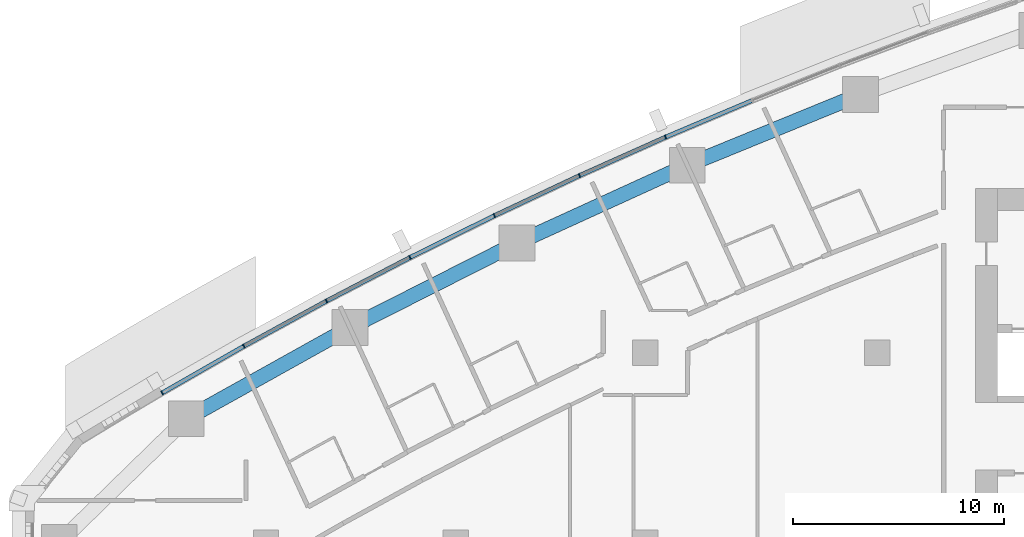
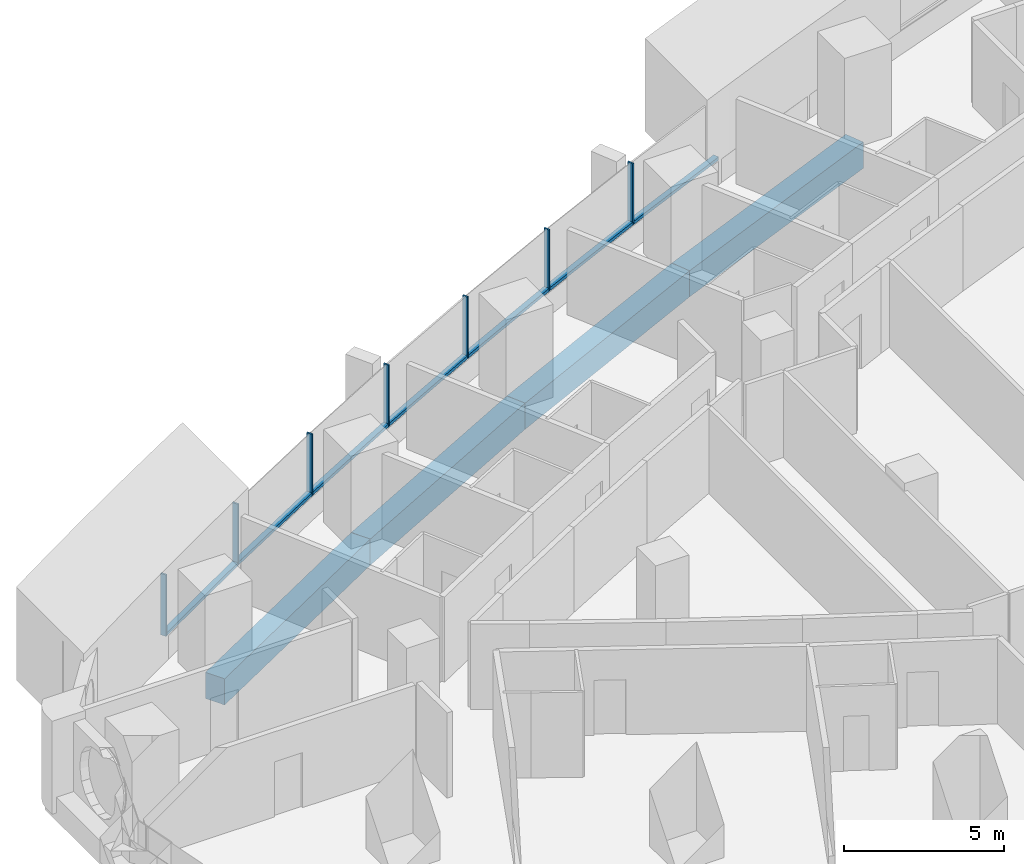
# One storey, part 5 of 17: 14 members, 4 beams, 4 elements without a shape of their own.
"""IFC4 building model written with IfcOpenShell, lengths in metres."""

from ifc_helpers import new_model, si_unit, direction, frame, origin, origin_2d, place, context, subcontext, project, spatial, rectangle, extrude, material, layer, layer_set, material_profile, profile_set, type_object, element, aggregate, save


model = new_model("IFC4")

# Units and contexts
model_context = context("Model", 3, precision=1e-05, world=origin(), true_north=direction((0.0, 1.0)))
body_context = subcontext(model_context, "Body", "Model", "MODEL_VIEW")
ifc_project = project(units=[si_unit("LENGTHUNIT", "METRE"), si_unit("AREAUNIT", "SQUARE_METRE"), si_unit("VOLUMEUNIT", "CUBIC_METRE"), si_unit("PLANEANGLEUNIT", "RADIAN"), si_unit("MASSUNIT", "GRAM", prefix="KILO")], contexts=[model_context])

# Site, building, storey
site_placement = place(None, origin())
site = spatial("IfcSite", under=ifc_project, at=site_placement, CompositionType="ELEMENT")
building_placement = place(site_placement, origin())
building = spatial("IfcBuilding", under=site, at=building_placement, Name="Ostrand Prow Hotel Tower", CompositionType="ELEMENT")
storey_placement = place(building_placement, frame((0.0, 0.0, 84.89990234375)))
storey = spatial("IfcBuildingStorey", under=building, at=storey_placement, Name="L19", CompositionType="ELEMENT", Elevation=84.89990234375)

# Beams
ifc_material_1 = material(Name="Concrete C80/95", Category="concrete")
ifc_material_profile_1 = material_profile(ifc_material_1, rectangle(XDim=0.699951171875, YDim=1.0, at=origin_2d()), Name="RC 700x1000")
ifc_profile_set_1 = profile_set([ifc_material_profile_1], Name="Concrete C80/95")
beam_type = type_object("IfcBeamType", Name="Edge beam 700x1000 C80/95", PredefinedType="SPANDREL", material=ifc_profile_set_1)
beam_1_placement = place(storey_placement, frame((44.210693359375, 21.263671875, -0.7998046875), z_axis=(-0.925612172894, -0.378473387955, 0.0), x_axis=(0.378473387955, -0.925612172894, 0.0)))
element("IfcBeam", 1, at=beam_1_placement, inside=storey, type_object=beam_type, Name="Edge beam N2-N3", PredefinedType="SPANDREL", context=body_context, shape_type="SweptSolid", body=[
    extrude(rectangle(XDim=0.699951171875, YDim=1.0, at=origin_2d()), origin(), (0.0, 0.0, 1.0), 8.88330078125),
])
beam_2_placement = place(storey_placement, frame((35.98828125, 17.901611328125, -0.7998046875), z_axis=(-0.909681006953, -0.415307675813, 0.0), x_axis=(0.415307675813, -0.909681006953, 0.0)))
element("IfcBeam", 2, at=beam_2_placement, inside=storey, type_object=beam_type, Name="Edge beam N3-N4", PredefinedType="SPANDREL", context=body_context, shape_type="SweptSolid", body=[
    extrude(rectangle(XDim=0.699951171875, YDim=1.0, at=origin_2d()), origin(), (0.0, 0.0, 1.0), 8.883544921875),
])
beam_3_placement = place(storey_placement, frame((27.906982421875, 14.212158203125, -0.7998046875), z_axis=(-0.892284288592, -0.451473973039, 0.0), x_axis=(0.451473973039, -0.892284288592, 0.0)))
element("IfcBeam", 3, at=beam_3_placement, inside=storey, type_object=beam_type, Name="Edge beam N4-N5", PredefinedType="SPANDREL", context=body_context, shape_type="SweptSolid", body=[
    extrude(rectangle(XDim=0.699951171875, YDim=1.0, at=origin_2d()), origin(), (0.0, 0.0, 1.0), 8.883056640625),
])
beam_4_placement = place(storey_placement, frame((19.980712890625, 10.20166015625, -0.7998046875), z_axis=(-0.873452439955, -0.486909473245, 0.0), x_axis=(0.486909473245, -0.873452439955, 0.0)))
element("IfcBeam", 4, at=beam_4_placement, inside=storey, type_object=beam_type, Name="Edge beam N5-N6", PredefinedType="SPANDREL", context=body_context, shape_type="SweptSolid", body=[
    extrude(rectangle(XDim=0.699951171875, YDim=1.0, at=origin_2d()), origin(), (0.0, 0.0, 1.0), 8.883544921875),
])

# Curtain wall, member
ifc_material_2 = material(Name="Insulated glass in bronze anodised frame", Category="glass")
ifc_layer = layer(ifc_material_2, 0.199951171875)
ifc_layer_set = layer_set([ifc_layer], Name="Insulated glass in bronze anodised frame")
curtain_wall_type = type_object("IfcCurtainWallType", Name="Strip curtain wall, fritted glass over bronze spandrel", PredefinedType="NOTDEFINED", material=ifc_layer_set)
curtain_wall_1_placement = place(storey_placement, origin())
curtain_wall_1 = element("IfcCurtainWall", 5, at=curtain_wall_1_placement, inside=storey, type_object=curtain_wall_type, Name="CW1 run CWN2", PredefinedType="NOTDEFINED")
ifc_material_3 = material(Name="Bronze anodised aluminium", Category="aluminium")
ifc_material_profile_2 = material_profile(ifc_material_3, rectangle(XDim=0.199951171875, YDim=0.06005859375, at=origin_2d()), Name="Mullion 60x200 bronze anodised aluminium")
ifc_profile_set_2 = profile_set([ifc_material_profile_2], Name="Bronze anodised aluminium")
member_type_1 = type_object("IfcMemberType", Name="Mullion 60x200 bronze anodised aluminium", PredefinedType="MULLION", material=ifc_profile_set_2)
member_1_placement = place(storey_placement, frame((34.95068359375, 19.233154296875, 0.900146484375), z_axis=(0.0, 0.0, 1.0), x_axis=(0.389506566255, -0.921023688536, 0.0)))
member_1 = element("IfcMember", 6, at=member_1_placement, type_object=member_type_1, Name="CW1 mullion 3", PredefinedType="MULLION", context=body_context, shape_type="SweptSolid", body=[
    extrude(rectangle(XDim=0.199951171875, YDim=0.06005859375, at=origin_2d()), origin(), (0.0, 0.0, 1.0), 2.349853515625),
])

# Curtain wall, members
curtain_wall_2_placement = place(storey_placement, origin())
curtain_wall_2 = element("IfcCurtainWall", 7, at=curtain_wall_2_placement, inside=storey, type_object=curtain_wall_type, Name="CW1 run CWN3", PredefinedType="NOTDEFINED")
member_2_placement = place(storey_placement, frame((30.872802734375, 17.41162109375, 0.900146484375), z_axis=(0.0, 0.0, 1.0), x_axis=(0.426079320162, -0.904685808958, 0.0)))
member_2 = element("IfcMember", 8, at=member_2_placement, type_object=member_type_1, Name="CW1 mullion 2", PredefinedType="MULLION", context=body_context, shape_type="SweptSolid", body=[
    extrude(rectangle(XDim=0.199951171875, YDim=0.06005859375, at=origin_2d()), origin(), (0.0, 0.0, 1.0), 2.349853515625),
])
member_3_placement = place(storey_placement, frame((26.83251953125, 15.508544921875, 0.900146484375), z_axis=(0.0, 0.0, 1.0), x_axis=(0.426079320162, -0.904685808958, 0.0)))
member_3 = element("IfcMember", 9, at=member_3_placement, type_object=member_type_1, Name="CW1 mullion 3", PredefinedType="MULLION", context=body_context, shape_type="SweptSolid", body=[
    extrude(rectangle(XDim=0.199951171875, YDim=0.06005859375, at=origin_2d()), origin(), (0.0, 0.0, 1.0), 2.349853515625),
])

curtain_wall_3_placement = place(storey_placement, origin())
curtain_wall_3 = element("IfcCurtainWall", 10, at=curtain_wall_3_placement, inside=storey, type_object=curtain_wall_type, Name="CW1 run CWN4", PredefinedType="NOTDEFINED")
member_4_placement = place(storey_placement, frame((22.831298828125, 13.525146484375, 0.900146484375), z_axis=(0.0, 0.0, 1.0), x_axis=(0.461968432937, -0.886896367661, 0.0)))
member_4 = element("IfcMember", 11, at=member_4_placement, type_object=member_type_1, Name="CW1 mullion 2", PredefinedType="MULLION", context=body_context, shape_type="SweptSolid", body=[
    extrude(rectangle(XDim=0.199951171875, YDim=0.06005859375, at=origin_2d()), origin(), (0.0, 0.0, 1.0), 2.349853515625),
])
member_5_placement = place(storey_placement, frame((18.870361328125, 11.4619140625, 0.900146484375), z_axis=(0.0, 0.0, 1.0), x_axis=(0.461968432937, -0.886896367661, 0.0)))
member_5 = element("IfcMember", 12, at=member_5_placement, type_object=member_type_1, Name="CW1 mullion 3", PredefinedType="MULLION", context=body_context, shape_type="SweptSolid", body=[
    extrude(rectangle(XDim=0.199951171875, YDim=0.06005859375, at=origin_2d()), origin(), (0.0, 0.0, 1.0), 2.349853515625),
])

curtain_wall_4_placement = place(storey_placement, origin())
curtain_wall_4 = element("IfcCurtainWall", 13, at=curtain_wall_4_placement, inside=storey, type_object=curtain_wall_type, Name="CW1 run CWN5", PredefinedType="NOTDEFINED")
member_6_placement = place(storey_placement, frame((14.951416015625, 9.320068359375, 0.900146484375), z_axis=(0.0, 0.0, 1.0), x_axis=(0.497114806368, -0.867684775301, 0.0)))
member_6 = element("IfcMember", 14, at=member_6_placement, type_object=member_type_1, Name="CW1 mullion 2", PredefinedType="MULLION", context=body_context, shape_type="SweptSolid", body=[
    extrude(rectangle(XDim=0.199951171875, YDim=0.06005859375, at=origin_2d()), origin(), (0.0, 0.0, 1.0), 2.349853515625),
])
member_7_placement = place(storey_placement, frame((11.076416015625, 7.099853515625, 0.900146484375), z_axis=(0.0, 0.0, 1.0), x_axis=(0.497114806368, -0.867684775301, 0.0)))
member_7 = element("IfcMember", 15, at=member_7_placement, type_object=member_type_1, Name="CW1 mullion 3", PredefinedType="MULLION", context=body_context, shape_type="SweptSolid", body=[
    extrude(rectangle(XDim=0.199951171875, YDim=0.06005859375, at=origin_2d()), origin(), (0.0, 0.0, 1.0), 2.349853515625),
])

# Member
ifc_material_4 = material(Name="Bronze anodised aluminium", Category="aluminium")
ifc_material_profile_3 = material_profile(ifc_material_4, rectangle(XDim=0.199951171875, YDim=0.1201171875, at=origin_2d()), Name="Transom 120x200 bronze anodised aluminium")
ifc_profile_set_3 = profile_set([ifc_material_profile_3], Name="Bronze anodised aluminium")
member_type_2 = type_object("IfcMemberType", Name="Transom 120x200 bronze anodised aluminium", PredefinedType="USERDEFINED", material=ifc_profile_set_3)
member_8_placement = place(storey_placement, frame((39.0361328125, 20.9609375, 0.960205078125), z_axis=(-0.921006250528, -0.389547797438, 0.0), x_axis=(0.389547797438, -0.921006250528, 0.0)))
member_8 = element("IfcMember", 16, at=member_8_placement, type_object=member_type_2, Name="CW1 transom 2.1", ObjectType="TRANSOM", PredefinedType="USERDEFINED", context=body_context, shape_type="SweptSolid", body=[
    extrude(rectangle(XDim=0.199951171875, YDim=0.1201171875, at=origin_2d()), origin(), (0.0, 0.0, 1.0), 4.406005859375),
])

aggregate(curtain_wall_1, [member_1, member_8])

member_9_placement = place(storey_placement, frame((34.923095703125, 19.220703125, 0.960205078125), z_axis=(-0.913030665163, -0.407890922271, 0.0), x_axis=(0.407890922271, -0.913030665163, 0.0)))
member_9 = element("IfcMember", 17, at=member_9_placement, type_object=member_type_2, Name="CW1 transom 1.1", ObjectType="TRANSOM", PredefinedType="USERDEFINED", context=body_context, shape_type="SweptSolid", body=[
    extrude(rectangle(XDim=0.199951171875, YDim=0.1201171875, at=origin_2d()), origin(), (0.0, 0.0, 1.0), 4.40576171875),
])

member_10_placement = place(storey_placement, frame((30.845703125, 17.398681640625, 0.960205078125), z_axis=(-0.904696854963, -0.42605586561, 0.0), x_axis=(0.42605586561, -0.904696854963, 0.0)))
member_10 = element("IfcMember", 18, at=member_10_placement, type_object=member_type_2, Name="CW1 transom 2.1", ObjectType="TRANSOM", PredefinedType="USERDEFINED", context=body_context, shape_type="SweptSolid", body=[
    extrude(rectangle(XDim=0.199951171875, YDim=0.1201171875, at=origin_2d()), origin(), (0.0, 0.0, 1.0), 4.406005859375),
])

aggregate(curtain_wall_2, [member_2, member_3, member_9, member_10])

member_11_placement = place(storey_placement, frame((26.8056640625, 15.495361328125, 0.960205078125), z_axis=(-0.895962348168, -0.444130015497, 0.0), x_axis=(0.444130015497, -0.895962348168, 0.0)))
member_11 = element("IfcMember", 19, at=member_11_placement, type_object=member_type_2, Name="CW1 transom 1.1", ObjectType="TRANSOM", PredefinedType="USERDEFINED", context=body_context, shape_type="SweptSolid", body=[
    extrude(rectangle(XDim=0.199951171875, YDim=0.1201171875, at=origin_2d()), origin(), (0.0, 0.0, 1.0), 4.406005859375),
])

member_12_placement = place(storey_placement, frame((22.8046875, 13.51123046875, 0.960205078125), z_axis=(-0.886901787206, -0.461958028235, 0.0), x_axis=(0.461958028235, -0.886901787206, 0.0)))
member_12 = element("IfcMember", 20, at=member_12_placement, type_object=member_type_2, Name="CW1 transom 2.1", ObjectType="TRANSOM", PredefinedType="USERDEFINED", context=body_context, shape_type="SweptSolid", body=[
    extrude(rectangle(XDim=0.199951171875, YDim=0.1201171875, at=origin_2d()), origin(), (0.0, 0.0, 1.0), 4.406005859375),
])

aggregate(curtain_wall_3, [member_4, member_5, member_11, member_12])

member_13_placement = place(storey_placement, frame((18.843994140625, 11.44775390625, 0.960205078125), z_axis=(-0.877471714137, -0.479628388328, 0.0), x_axis=(0.479628388328, -0.877471714137, 0.0)))
member_13 = element("IfcMember", 21, at=member_13_placement, type_object=member_type_2, Name="CW1 transom 1.1", ObjectType="TRANSOM", PredefinedType="USERDEFINED", context=body_context, shape_type="SweptSolid", body=[
    extrude(rectangle(XDim=0.199951171875, YDim=0.1201171875, at=origin_2d()), origin(), (0.0, 0.0, 1.0), 4.406005859375),
])

member_14_placement = place(storey_placement, frame((14.925537109375, 9.30517578125, 0.960205078125), z_axis=(-0.86766970623, -0.497141107625, 0.0), x_axis=(0.497141107625, -0.86766970623, 0.0)))
member_14 = element("IfcMember", 22, at=member_14_placement, type_object=member_type_2, Name="CW1 transom 2.1", ObjectType="TRANSOM", PredefinedType="USERDEFINED", context=body_context, shape_type="SweptSolid", body=[
    extrude(rectangle(XDim=0.199951171875, YDim=0.1201171875, at=origin_2d()), origin(), (0.0, 0.0, 1.0), 4.406005859375),
])

aggregate(curtain_wall_4, [member_6, member_7, member_13, member_14])

save(model, "model.ifc")
